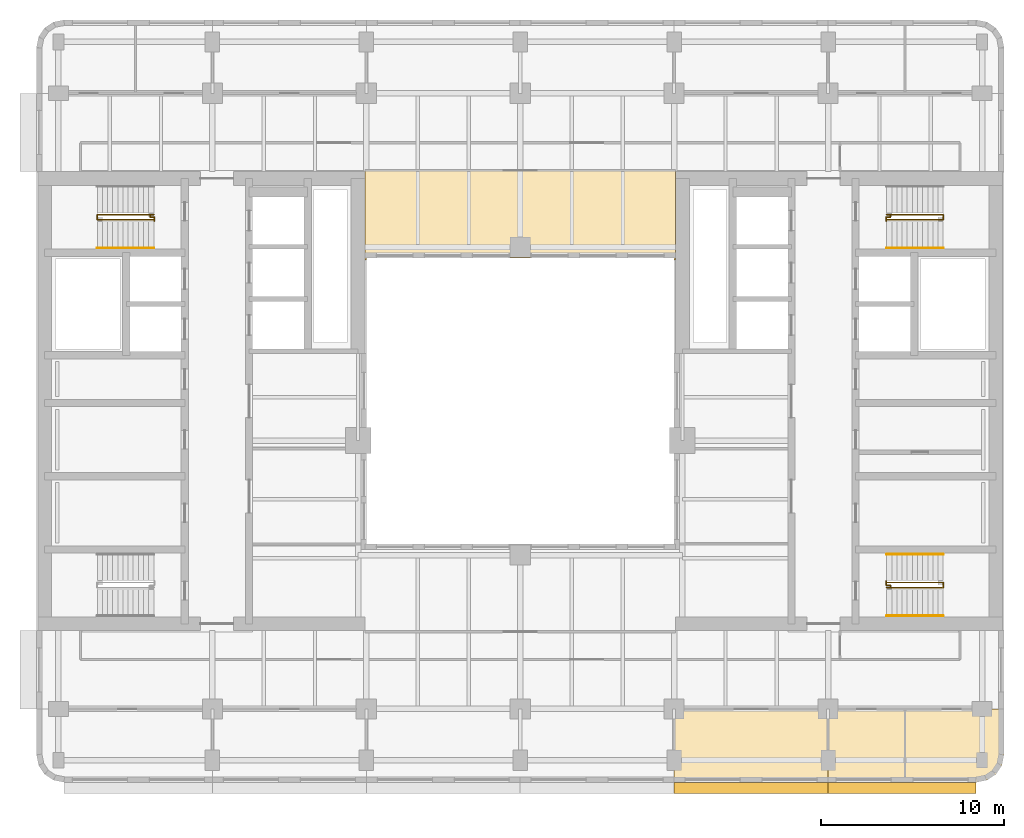
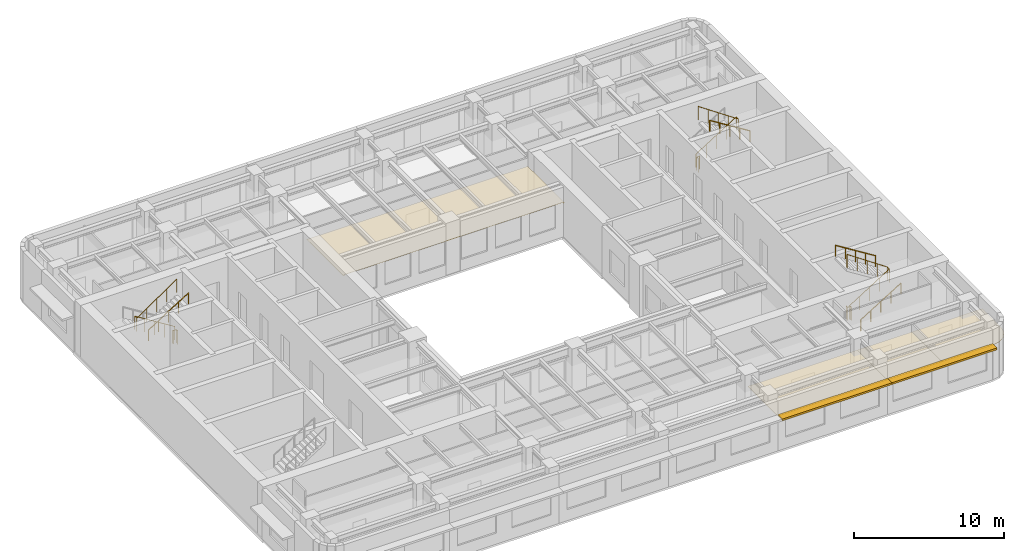
# One storey, part 10 of 11: 10 railings, 4 coverings, 2 shading devices.
"""IFC4 building model written with IfcOpenShell, lengths in metres."""

from ifc_helpers import new_model, si_unit, direction, frame, origin, origin_2d, place, context, subcontext, project, spatial, polyline, rectangle, circle, outline, extrude, material, layer, layer_set, type_object, element, save


model = new_model("IFC4")

# Units and contexts
model_context = context("Model", 3, precision=1e-05, world=origin(), true_north=direction((0.0, 1.0)))
body_context = subcontext(model_context, "Body", "Model", "MODEL_VIEW")
ifc_project = project(units=[si_unit("LENGTHUNIT", "METRE"), si_unit("AREAUNIT", "SQUARE_METRE"), si_unit("VOLUMEUNIT", "CUBIC_METRE"), si_unit("PLANEANGLEUNIT", "RADIAN"), si_unit("MASSUNIT", "GRAM", prefix="KILO")], contexts=[model_context])

# Site, building, storey
site_placement = place(None, origin())
site = spatial("IfcSite", under=ifc_project, at=site_placement, CompositionType="ELEMENT")
building_placement = place(site_placement, origin())
building = spatial("IfcBuilding", under=site, at=building_placement, Name="Claustro Exchange Tower", CompositionType="ELEMENT")
storey_placement = place(building_placement, frame((0.0, 0.0, 186.0)))
storey = spatial("IfcBuildingStorey", under=building, at=storey_placement, Name="L42", CompositionType="ELEMENT", Elevation=186.0)

# Coverings
ifc_material_1 = material(Name="Gypsum board ceiling", Category="gypsum board")
ifc_layer_1 = layer(ifc_material_1, 0.02490234375)
ifc_layer_set_1 = layer_set([ifc_layer_1], Name="Gypsum board ceiling")
covering_type = type_object("IfcCoveringType", Name="CL2 plasterboard ceiling", PredefinedType="CEILING", material=ifc_layer_set_1)
covering_1_placement = place(storey_placement, frame((0.0, 0.0, 2.800048828125)))
element("IfcCovering", 1, at=covering_1_placement, inside=storey, type_object=covering_type, Name="Ceiling CL2 L42-03", PredefinedType="CEILING", context=body_context, shape_type="SweptSolid", body=[
    extrude(outline(polyline([(33.60009765625, 4.39990234375), (42.0, 4.39990234375), (42.0, 8.39990234375), (33.60009765625, 8.39990234375), (33.60009765625, 4.39990234375)])), origin(), (0.0, 0.0, 1.0), 0.02490234375),
])
covering_2_placement = place(storey_placement, frame((0.0, 0.0, 2.800048828125)))
element("IfcCovering", 2, at=covering_2_placement, inside=storey, type_object=covering_type, Name="Ceiling CL2 L42-04", PredefinedType="CEILING", context=body_context, shape_type="SweptSolid", body=[
    extrude(outline(polyline([(42.0, 4.39990234375), (46.199951171875, 4.39990234375), (46.199951171875, 8.39990234375), (42.0, 8.39990234375), (42.0, 4.39990234375)])), origin(), (0.0, 0.0, 1.0), 0.02490234375),
])
covering_3_placement = place(storey_placement, frame((0.0, 0.0, 2.800048828125)))
element("IfcCovering", 3, at=covering_3_placement, inside=storey, type_object=covering_type, Name="Ceiling CL2 L42-05", PredefinedType="CEILING", context=body_context, shape_type="SweptSolid", body=[
    extrude(outline(polyline([(51.60009765625, 5.89990234375), (51.60009765625, 8.39990234375), (46.199951171875, 8.39990234375), (46.199951171875, 4.39990234375), (50.10009765625, 4.39990234375), (50.674072265625, 4.51416015625), (51.16064453125, 4.83935546875), (51.48583984375, 5.325927734375), (51.60009765625, 5.89990234375)])), origin(), (0.0, 0.0, 1.0), 0.02490234375),
])
covering_4_placement = place(storey_placement, frame((0.0, 0.0, 2.800048828125)))
element("IfcCovering", 4, at=covering_4_placement, inside=storey, type_object=covering_type, Name="Ceiling CL2 L42-14", PredefinedType="CEILING", context=body_context, shape_type="SweptSolid", body=[
    extrude(outline(polyline([(16.72509765625, 37.72509765625), (16.72509765625, 32.905029296875), (16.800048828125, 32.905029296875), (16.800048828125, 33.0), (33.60009765625, 33.0), (33.60009765625, 32.905029296875), (33.675048828125, 32.905029296875), (33.675048828125, 37.72509765625), (33.695068359375, 37.72509765625), (33.695068359375, 37.800048828125), (16.705078125, 37.800048828125), (16.705078125, 37.72509765625), (16.72509765625, 37.72509765625)])), origin(), (0.0, 0.0, 1.0), 0.02490234375),
])

# Railings
ifc_material_2 = material(Name="Steel balustrade, painted", Category="steel")
railing_type_1 = type_object("IfcRailingType", Name="GR2 1100 steel stair guard", PredefinedType="GUARDRAIL", material=ifc_material_2)
railing_1_placement = place(storey_placement, frame((5.199951171875, 35.375, 0.175048828125)))
element("IfcRailing", 5, at=railing_1_placement, inside=storey, type_object=railing_type_1, Name="Stair well guard GR2 stair STWB L42", PredefinedType="GUARDRAIL", context=body_context, shape_type="SweptSolid", body=[
    extrude(circle(Radius=0.02392578125, at=origin_2d()), frame((0.0, 0.0, 1.076171875), z_axis=(-0.847979421464, 0.0, 0.530029150871), x_axis=(0.0, -1.0, 0.0)), (0.0, 0.0, 1.0), 3.632080078125),
    extrude(circle(Radius=0.02392578125, at=origin_2d()), frame((-3.079833984375, 0.0, 3.0009765625), z_axis=(0.0, -1.0, 0.0), x_axis=(1.0, 0.0, 0.0)), (0.0, 0.0, 1.0), 0.27490234375),
    extrude(circle(Radius=0.02392578125, at=origin_2d()), frame((-3.079833984375, -0.27490234375, 3.0009765625), z_axis=(0.826231499792, 0.0, 0.563330727682), x_axis=(0.0, 1.0, 0.0)), (0.0, 0.0, 1.0), 3.7275390625),
    extrude(circle(Radius=0.02099609375, at=origin_2d()), origin(), (0.0, 0.0, 1.0), 1.052001953125),
    extrude(circle(Radius=0.02099609375, at=origin_2d()), frame((-0.77001953125, 0.0, 0.481201171875)), (0.0, 0.0, 1.0), 1.052001953125),
    extrude(circle(Radius=0.02099609375, at=origin_2d()), frame((-1.5400390625, 0.0, 0.96240234375)), (0.0, 0.0, 1.0), 1.052001953125),
    extrude(circle(Radius=0.02099609375, at=origin_2d()), frame((-2.309814453125, 0.0, 1.44384765625)), (0.0, 0.0, 1.0), 1.052001953125),
    extrude(circle(Radius=0.02099609375, at=origin_2d()), frame((-3.079833984375, 0.0, 1.925048828125)), (0.0, 0.0, 1.0), 1.052001953125),
    extrude(circle(Radius=0.02099609375, at=origin_2d()), frame((-3.079833984375, -0.27490234375, 1.925048828125)), (0.0, 0.0, 1.0), 1.052001953125),
    extrude(circle(Radius=0.02099609375, at=origin_2d()), frame((-2.309814453125, -0.27490234375, 2.449951171875)), (0.0, 0.0, 1.0), 1.052001953125),
    extrude(circle(Radius=0.02099609375, at=origin_2d()), frame((-1.5400390625, -0.27490234375, 2.97509765625)), (0.0, 0.0, 1.0), 1.052001953125),
    extrude(circle(Radius=0.02099609375, at=origin_2d()), frame((-0.77001953125, -0.27490234375, 3.5)), (0.0, 0.0, 1.0), 1.052001953125),
    extrude(circle(Radius=0.02099609375, at=origin_2d()), frame((0.0, -0.27490234375, 4.02490234375)), (0.0, 0.0, 1.0), 1.052001953125),
])
railing_2_placement = place(storey_placement, frame((5.0, 35.304931640625, 0.0)))
element("IfcRailing", 6, at=railing_2_placement, inside=storey, type_object=railing_type_1, Name="Stair guard GR2 STWB L42", PredefinedType="GUARDRAIL", context=body_context, shape_type="SweptSolid", body=[
    extrude(circle(Radius=0.02392578125, at=origin_2d()), frame((0.0, 0.0, 1.076171875), z_axis=(0.0, -1.0, 0.0), x_axis=(1.0, 0.0, 0.0)), (0.0, 0.0, 1.0), 0.0673828125),
    extrude(circle(Radius=0.02392578125, at=origin_2d()), frame((0.0, -0.0673828125, 1.076171875), z_axis=(1.0, 0.0, 0.0), x_axis=(0.0, 1.0, 0.0)), (0.0, 0.0, 1.0), 0.22509765625),
    extrude(circle(Radius=0.02392578125, at=origin_2d()), frame((0.22509765625, -0.0673828125, 1.076171875), z_axis=(0.0, -1.0, 0.0), x_axis=(1.0, 0.0, 0.0)), (0.0, 0.0, 1.0), 0.217529296875),
    extrude(circle(Radius=0.02099609375, at=origin_2d()), origin(), (0.0, 0.0, 1.0), 1.052001953125),
    extrude(circle(Radius=0.02099609375, at=origin_2d()), frame((0.0, -0.0673828125, 0.0)), (0.0, 0.0, 1.0), 1.052001953125),
    extrude(circle(Radius=0.02099609375, at=origin_2d()), frame((0.22509765625, -0.0673828125, 0.0)), (0.0, 0.0, 1.0), 1.052001953125),
    extrude(circle(Radius=0.02099609375, at=origin_2d()), frame((0.22509765625, -0.284912109375, 0.0)), (0.0, 0.0, 1.0), 1.052001953125),
])
railing_3_placement = place(storey_placement, frame((45.199951171875, 15.02490234375, 0.175048828125)))
element("IfcRailing", 7, at=railing_3_placement, inside=storey, type_object=railing_type_1, Name="Stair well guard GR2 stair STEA L42", PredefinedType="GUARDRAIL", context=body_context, shape_type="SweptSolid", body=[
    extrude(circle(Radius=0.02392578125, at=origin_2d()), frame((0.0, 0.0, 1.076171875), z_axis=(0.847998304005, 0.0, 0.529998940003), x_axis=(0.0, 1.0, 0.0)), (0.0, 0.0, 1.0), 3.632080078125),
    extrude(circle(Radius=0.02392578125, at=origin_2d()), frame((3.080078125, 0.0, 3.0009765625), z_axis=(0.0, 1.0, 0.0), x_axis=(-1.0, 0.0, 0.0)), (0.0, 0.0, 1.0), 0.275146484375),
    extrude(circle(Radius=0.02392578125, at=origin_2d()), frame((3.080078125, 0.275146484375, 3.0009765625), z_axis=(-0.826252282691, 0.0, 0.563300244406), x_axis=(0.0, -1.0, 0.0)), (0.0, 0.0, 1.0), 3.727783203125),
    extrude(circle(Radius=0.02099609375, at=origin_2d()), origin(), (0.0, 0.0, 1.0), 1.052001953125),
    extrude(circle(Radius=0.02099609375, at=origin_2d()), frame((0.77001953125, 0.0, 0.481201171875)), (0.0, 0.0, 1.0), 1.052001953125),
    extrude(circle(Radius=0.02099609375, at=origin_2d()), frame((1.5400390625, 0.0, 0.96240234375)), (0.0, 0.0, 1.0), 1.052001953125),
    extrude(circle(Radius=0.02099609375, at=origin_2d()), frame((2.31005859375, 0.0, 1.44384765625)), (0.0, 0.0, 1.0), 1.052001953125),
    extrude(circle(Radius=0.02099609375, at=origin_2d()), frame((3.080078125, 0.0, 1.925048828125)), (0.0, 0.0, 1.0), 1.052001953125),
    extrude(circle(Radius=0.02099609375, at=origin_2d()), frame((3.080078125, 0.275146484375, 1.925048828125)), (0.0, 0.0, 1.0), 1.052001953125),
    extrude(circle(Radius=0.02099609375, at=origin_2d()), frame((2.31005859375, 0.275146484375, 2.449951171875)), (0.0, 0.0, 1.0), 1.052001953125),
    extrude(circle(Radius=0.02099609375, at=origin_2d()), frame((1.5400390625, 0.275146484375, 2.97509765625)), (0.0, 0.0, 1.0), 1.052001953125),
    extrude(circle(Radius=0.02099609375, at=origin_2d()), frame((0.77001953125, 0.275146484375, 3.5)), (0.0, 0.0, 1.0), 1.052001953125),
    extrude(circle(Radius=0.02099609375, at=origin_2d()), frame((0.0, 0.275146484375, 4.02490234375)), (0.0, 0.0, 1.0), 1.052001953125),
])
railing_4_placement = place(storey_placement, frame((45.39990234375, 15.094970703125, 0.0)))
element("IfcRailing", 8, at=railing_4_placement, inside=storey, type_object=railing_type_1, Name="Stair guard GR2 STEA L42", PredefinedType="GUARDRAIL", context=body_context, shape_type="SweptSolid", body=[
    extrude(circle(Radius=0.02392578125, at=origin_2d()), frame((0.0, 0.0, 1.076171875), z_axis=(0.0, 1.0, 0.0), x_axis=(-1.0, 0.0, 0.0)), (0.0, 0.0, 1.0), 0.067626953125),
    extrude(circle(Radius=0.02392578125, at=origin_2d()), frame((0.0, 0.067626953125, 1.076171875), z_axis=(-1.0, 0.0, 0.0), x_axis=(0.0, -1.0, 0.0)), (0.0, 0.0, 1.0), 0.224853515625),
    extrude(circle(Radius=0.02392578125, at=origin_2d()), frame((-0.224853515625, 0.067626953125, 1.076171875), z_axis=(0.0, 1.0, 0.0), x_axis=(-1.0, 0.0, 0.0)), (0.0, 0.0, 1.0), 0.21728515625),
    extrude(circle(Radius=0.02099609375, at=origin_2d()), origin(), (0.0, 0.0, 1.0), 1.052001953125),
    extrude(circle(Radius=0.02099609375, at=origin_2d()), frame((0.0, 0.067626953125, 0.0)), (0.0, 0.0, 1.0), 1.052001953125),
    extrude(circle(Radius=0.02099609375, at=origin_2d()), frame((-0.224853515625, 0.067626953125, 0.0)), (0.0, 0.0, 1.0), 1.052001953125),
    extrude(circle(Radius=0.02099609375, at=origin_2d()), frame((-0.224853515625, 0.284912109375, 0.0)), (0.0, 0.0, 1.0), 1.052001953125),
])
railing_5_placement = place(storey_placement, frame((45.199951171875, 35.375, 0.175048828125)))
element("IfcRailing", 9, at=railing_5_placement, inside=storey, type_object=railing_type_1, Name="Stair well guard GR2 stair STEB L42", PredefinedType="GUARDRAIL", context=body_context, shape_type="SweptSolid", body=[
    extrude(circle(Radius=0.02392578125, at=origin_2d()), frame((0.0, 0.0, 1.076171875), z_axis=(0.847998304005, 0.0, 0.529998940003), x_axis=(0.0, 1.0, 0.0)), (0.0, 0.0, 1.0), 3.632080078125),
    extrude(circle(Radius=0.02392578125, at=origin_2d()), frame((3.080078125, 0.0, 3.0009765625), z_axis=(0.0, -1.0, 0.0), x_axis=(1.0, 0.0, 0.0)), (0.0, 0.0, 1.0), 0.27490234375),
    extrude(circle(Radius=0.02392578125, at=origin_2d()), frame((3.080078125, -0.27490234375, 3.0009765625), z_axis=(-0.826252282691, 0.0, 0.563300244406), x_axis=(0.0, -1.0, 0.0)), (0.0, 0.0, 1.0), 3.727783203125),
    extrude(circle(Radius=0.02099609375, at=origin_2d()), origin(), (0.0, 0.0, 1.0), 1.052001953125),
    extrude(circle(Radius=0.02099609375, at=origin_2d()), frame((0.77001953125, 0.0, 0.481201171875)), (0.0, 0.0, 1.0), 1.052001953125),
    extrude(circle(Radius=0.02099609375, at=origin_2d()), frame((1.5400390625, 0.0, 0.96240234375)), (0.0, 0.0, 1.0), 1.052001953125),
    extrude(circle(Radius=0.02099609375, at=origin_2d()), frame((2.31005859375, 0.0, 1.44384765625)), (0.0, 0.0, 1.0), 1.052001953125),
    extrude(circle(Radius=0.02099609375, at=origin_2d()), frame((3.080078125, 0.0, 1.925048828125)), (0.0, 0.0, 1.0), 1.052001953125),
    extrude(circle(Radius=0.02099609375, at=origin_2d()), frame((3.080078125, -0.27490234375, 1.925048828125)), (0.0, 0.0, 1.0), 1.052001953125),
    extrude(circle(Radius=0.02099609375, at=origin_2d()), frame((2.31005859375, -0.27490234375, 2.449951171875)), (0.0, 0.0, 1.0), 1.052001953125),
    extrude(circle(Radius=0.02099609375, at=origin_2d()), frame((1.5400390625, -0.27490234375, 2.97509765625)), (0.0, 0.0, 1.0), 1.052001953125),
    extrude(circle(Radius=0.02099609375, at=origin_2d()), frame((0.77001953125, -0.27490234375, 3.5)), (0.0, 0.0, 1.0), 1.052001953125),
    extrude(circle(Radius=0.02099609375, at=origin_2d()), frame((0.0, -0.27490234375, 4.02490234375)), (0.0, 0.0, 1.0), 1.052001953125),
])
railing_6_placement = place(storey_placement, frame((45.39990234375, 35.304931640625, 0.0)))
element("IfcRailing", 10, at=railing_6_placement, inside=storey, type_object=railing_type_1, Name="Stair guard GR2 STEB L42", PredefinedType="GUARDRAIL", context=body_context, shape_type="SweptSolid", body=[
    extrude(circle(Radius=0.02392578125, at=origin_2d()), frame((0.0, 0.0, 1.076171875), z_axis=(0.0, -1.0, 0.0), x_axis=(1.0, 0.0, 0.0)), (0.0, 0.0, 1.0), 0.0673828125),
    extrude(circle(Radius=0.02392578125, at=origin_2d()), frame((0.0, -0.0673828125, 1.076171875), z_axis=(-1.0, 0.0, 0.0), x_axis=(0.0, -1.0, 0.0)), (0.0, 0.0, 1.0), 0.224853515625),
    extrude(circle(Radius=0.02392578125, at=origin_2d()), frame((-0.224853515625, -0.0673828125, 1.076171875), z_axis=(0.0, -1.0, 0.0), x_axis=(1.0, 0.0, 0.0)), (0.0, 0.0, 1.0), 0.217529296875),
    extrude(circle(Radius=0.02099609375, at=origin_2d()), origin(), (0.0, 0.0, 1.0), 1.052001953125),
    extrude(circle(Radius=0.02099609375, at=origin_2d()), frame((0.0, -0.0673828125, 0.0)), (0.0, 0.0, 1.0), 1.052001953125),
    extrude(circle(Radius=0.02099609375, at=origin_2d()), frame((-0.224853515625, -0.0673828125, 0.0)), (0.0, 0.0, 1.0), 1.052001953125),
    extrude(circle(Radius=0.02099609375, at=origin_2d()), frame((-0.224853515625, -0.284912109375, 0.0)), (0.0, 0.0, 1.0), 1.052001953125),
])
ifc_material_3 = material(Name="Stainless steel tube", Category="steel")
railing_type_2 = type_object("IfcRailingType", Name="HR1 900 stair handrail", PredefinedType="HANDRAIL", material=ifc_material_3)
railing_7_placement = place(storey_placement, frame((2.1201171875, 33.56005859375, 2.27490234375)))
element("IfcRailing", 11, at=railing_7_placement, inside=storey, type_object=railing_type_2, Name="Handrail HR1 stair STWB L42", PredefinedType="HANDRAIL", context=body_context, shape_type="SweptSolid", body=[
    extrude(circle(Radius=0.02392578125, at=origin_2d()), frame((0.0, 0.0, 0.8759765625), z_axis=(0.847979421464, 0.0, 0.530029150871), x_axis=(0.0, 1.0, 0.0)), (0.0, 0.0, 1.0), 3.632080078125),
    extrude(circle(Radius=0.02099609375, at=origin_2d()), origin(), (0.0, 0.0, 1.0), 0.851806640625),
    extrude(circle(Radius=0.02099609375, at=origin_2d()), frame((0.77001953125, 0.0, 0.481201171875)), (0.0, 0.0, 1.0), 0.851806640625),
    extrude(circle(Radius=0.02099609375, at=origin_2d()), frame((1.5400390625, 0.0, 0.96240234375)), (0.0, 0.0, 1.0), 0.851806640625),
    extrude(circle(Radius=0.02099609375, at=origin_2d()), frame((2.309814453125, 0.0, 1.44384765625)), (0.0, 0.0, 1.0), 0.851806640625),
    extrude(circle(Radius=0.02099609375, at=origin_2d()), frame((3.079833984375, 0.0, 1.925048828125)), (0.0, 0.0, 1.0), 0.851806640625),
])
railing_8_placement = place(storey_placement, frame((45.199951171875, 13.485107421875, 0.175048828125)))
element("IfcRailing", 12, at=railing_8_placement, inside=storey, type_object=railing_type_2, Name="Handrail HR1 stair STEA L42", PredefinedType="HANDRAIL", context=body_context, shape_type="SweptSolid", body=[
    extrude(circle(Radius=0.02392578125, at=origin_2d()), frame((0.0, 0.0, 0.8759765625), z_axis=(0.847998304005, 0.0, 0.529998940003), x_axis=(0.0, 1.0, 0.0)), (0.0, 0.0, 1.0), 3.632080078125),
    extrude(circle(Radius=0.02099609375, at=origin_2d()), origin(), (0.0, 0.0, 1.0), 0.851806640625),
    extrude(circle(Radius=0.02099609375, at=origin_2d()), frame((0.77001953125, 0.0, 0.481201171875)), (0.0, 0.0, 1.0), 0.851806640625),
    extrude(circle(Radius=0.02099609375, at=origin_2d()), frame((1.5400390625, 0.0, 0.96240234375)), (0.0, 0.0, 1.0), 0.851806640625),
    extrude(circle(Radius=0.02099609375, at=origin_2d()), frame((2.31005859375, 0.0, 1.44384765625)), (0.0, 0.0, 1.0), 0.851806640625),
    extrude(circle(Radius=0.02099609375, at=origin_2d()), frame((3.080078125, 0.0, 1.925048828125)), (0.0, 0.0, 1.0), 0.851806640625),
])
for number, where, name in (
    (13, (48.280029296875, 16.840087890625, 2.27490234375), "Handrail HR1 stair STEA L42"),
    (14, (48.280029296875, 33.56005859375, 2.27490234375), "Handrail HR1 stair STEB L42"),
):
    element("IfcRailing", number, at=place(storey_placement, frame(where)), inside=storey, type_object=railing_type_2, Name=name, PredefinedType="HANDRAIL", context=body_context, shape_type="SweptSolid", body=[
        extrude(circle(Radius=0.02392578125, at=origin_2d()), frame((0.0, 0.0, 0.8759765625), z_axis=(-0.847998304005, 0.0, 0.529998940003), x_axis=(0.0, -1.0, 0.0)), (0.0, 0.0, 1.0), 3.632080078125),
        extrude(circle(Radius=0.02099609375, at=origin_2d()), origin(), (0.0, 0.0, 1.0), 0.851806640625),
        extrude(circle(Radius=0.02099609375, at=origin_2d()), frame((-0.77001953125, 0.0, 0.481201171875)), (0.0, 0.0, 1.0), 0.851806640625),
        extrude(circle(Radius=0.02099609375, at=origin_2d()), frame((-1.5400390625, 0.0, 0.96240234375)), (0.0, 0.0, 1.0), 0.851806640625),
        extrude(circle(Radius=0.02099609375, at=origin_2d()), frame((-2.31005859375, 0.0, 1.44384765625)), (0.0, 0.0, 1.0), 0.851806640625),
        extrude(circle(Radius=0.02099609375, at=origin_2d()), frame((-3.080078125, 0.0, 1.925048828125)), (0.0, 0.0, 1.0), 0.851806640625),
    ])

# Shading devices
ifc_material_4 = material(Name="Concrete HA-40 (C40/50), precast, white cement, acid-etched", Category="concrete")
ifc_layer_2 = layer(ifc_material_4, 0.14990234375)
ifc_layer_set_2 = layer_set([ifc_layer_2], Name="Concrete HA-40 (C40/50), precast, white cement, acid-etched")
shading_device_type = type_object("IfcShadingDeviceType", Name="SS1 600 precast concrete SUNSHADE", PredefinedType="SHUTTER", material=ifc_layer_set_2)
shading_device_1_placement = place(storey_placement, frame((46.04248046875, 4.10009765625, 2.800048828125), z_axis=(0.0, 0.0, 1.0), x_axis=(-1.0, 0.0, 0.0)))
element("IfcShadingDevice", 15, at=shading_device_1_placement, inside=storey, type_object=shading_device_type, Name="Precast SUNSHADE SS1 L42", PredefinedType="SHUTTER", context=body_context, shape_type="SweptSolid", body=[
    extrude(rectangle(XDim=8.085205078125, YDim=0.60009765625, at=origin_2d()), origin(), (0.0, 0.0, 1.0), 0.14990234375),
])
shading_device_2_placement = place(storey_placement, frame((37.800048828125, 4.10009765625, 2.800048828125), z_axis=(0.0, 0.0, 1.0), x_axis=(-1.0, 0.0, 0.0)))
element("IfcShadingDevice", 16, at=shading_device_2_placement, inside=storey, type_object=shading_device_type, Name="Precast SUNSHADE SS1 L42", PredefinedType="SHUTTER", context=body_context, shape_type="SweptSolid", body=[
    extrude(rectangle(XDim=8.39990234375, YDim=0.60009765625, at=origin_2d()), origin(), (0.0, 0.0, 1.0), 0.14990234375),
])

save(model, "model.ifc")
